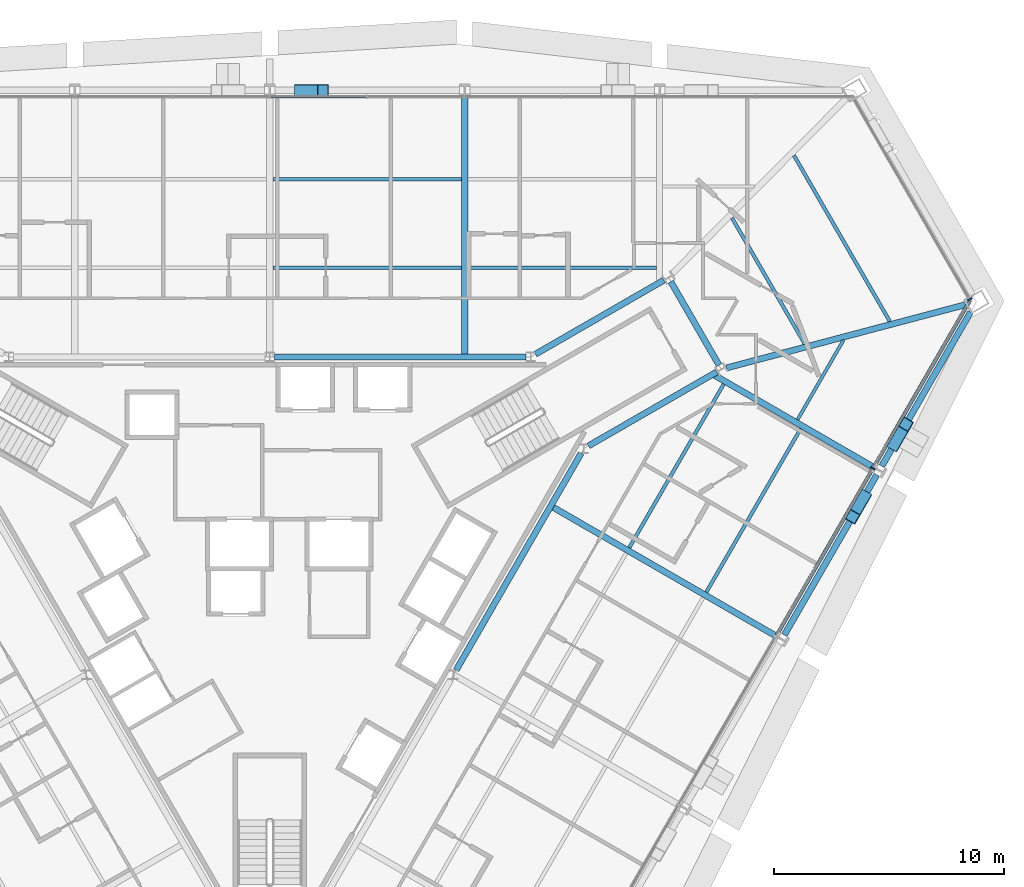
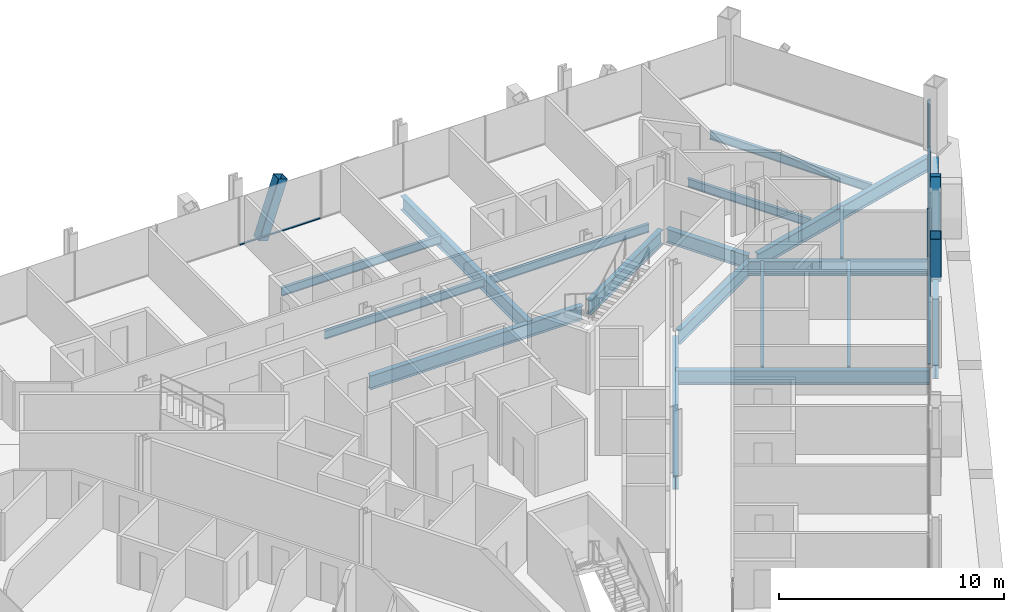
# One storey, part 7 of 17: 19 beams, 8 members, 3 elements without a shape of their own.
"""IFC4 building model written with IfcOpenShell, lengths in metres."""

from ifc_helpers import new_model, si_unit, direction, frame, origin, origin_2d, place, context, subcontext, project, spatial, rectangle, hollow_rectangle, i_section, extrude, material, material_profile, profile_set, type_object, element, aggregate, save


model = new_model("IFC4")

# Units and contexts
model_context = context("Model", 3, precision=1e-05, world=origin(), true_north=direction((0.0, 1.0)))
body_context = subcontext(model_context, "Body", "Model", "MODEL_VIEW")
ifc_project = project(units=[si_unit("LENGTHUNIT", "METRE"), si_unit("AREAUNIT", "SQUARE_METRE"), si_unit("VOLUMEUNIT", "CUBIC_METRE"), si_unit("PLANEANGLEUNIT", "RADIAN"), si_unit("MASSUNIT", "GRAM", prefix="KILO")], contexts=[model_context])

# Site, building, storey
site_placement = place(None, origin())
site = spatial("IfcSite", under=ifc_project, at=site_placement, CompositionType="ELEMENT")
building_placement = place(site_placement, origin())
building = spatial("IfcBuilding", under=site, at=building_placement, Name="Verrane Prism Tower", CompositionType="ELEMENT")
storey_placement = place(building_placement, frame((0.0, 0.0, 40.39990234375)))
storey = spatial("IfcBuildingStorey", under=building, at=storey_placement, Name="L07", CompositionType="ELEMENT", Elevation=40.39990234375)

# Beams
ifc_material_1 = material(Name="Steel A992", Category="steel")
ifc_material_profile_1 = material_profile(ifc_material_1, i_section(OverallWidth=0.2666015625, OverallDepth=0.7568359375, WebThickness=0.013916015625, FlangeThickness=0.019287109375, FilletRadius=0.0166015625, at=origin_2d()), Name="W30x108")
ifc_profile_set_1 = profile_set([ifc_material_profile_1], Name="Steel A992")
beam_type_1 = type_object("IfcBeamType", Name="Core ring girder W30x108", PredefinedType="BEAM", material=ifc_profile_set_1)
beam_1_placement = place(storey_placement, frame((13.833251953125, 5.337158203125, -0.62841796875), z_axis=(0.86646365882, 0.499240150574, 0.0), x_axis=(-0.499240150574, 0.86646365882, 0.0)))
element("IfcBeam", 1, at=beam_1_placement, inside=storey, type_object=beam_type_1, Name="Core ring girder L07", PredefinedType="BEAM", context=body_context, shape_type="SweptSolid", body=[
    extrude(i_section(OverallWidth=0.2666015625, OverallDepth=0.7568359375, WebThickness=0.013916015625, FlangeThickness=0.019287109375, FilletRadius=0.0166015625, at=origin_2d()), origin(), (0.0, 0.0, 1.0), 6.42822265625),
])
beam_2_placement = place(storey_placement, frame((19.4951171875, 8.84130859375, -0.62841796875), z_axis=(-0.500349643494, 0.865823442888, 0.0), x_axis=(-0.865823442888, -0.500349643494, 0.0)))
element("IfcBeam", 2, at=beam_2_placement, inside=storey, type_object=beam_type_1, Name="Core ring girder L07", PredefinedType="BEAM", context=body_context, shape_type="SweptSolid", body=[
    extrude(i_section(OverallWidth=0.2666015625, OverallDepth=0.7568359375, WebThickness=0.013916015625, FlangeThickness=0.019287109375, FilletRadius=0.0166015625, at=origin_2d()), origin(), (0.0, 0.0, 1.0), 4.177734375),
])
beam_3_placement = place(storey_placement, frame((17.10302734375, 12.526611328125, -0.62841796875), z_axis=(-0.866447229751, -0.499268663203, 0.0), x_axis=(0.499268663203, -0.866447229751, 0.0)))
element("IfcBeam", 3, at=beam_3_placement, inside=storey, type_object=beam_type_1, Name="Core ring girder L07", PredefinedType="BEAM", context=body_context, shape_type="SweptSolid", body=[
    extrude(i_section(OverallWidth=0.2666015625, OverallDepth=0.7568359375, WebThickness=0.013916015625, FlangeThickness=0.019287109375, FilletRadius=0.0166015625, at=origin_2d()), origin(), (0.0, 0.0, 1.0), 6.428466796875),
])
beam_4_placement = place(storey_placement, frame((11.126708984375, 9.199951171875, -0.62841796875), z_axis=(-1.0, 0.0, 0.0), x_axis=(0.0, -1.0, 0.0)))
element("IfcBeam", 4, at=beam_4_placement, inside=storey, type_object=beam_type_1, Name="Core ring girder L07", PredefinedType="BEAM", context=body_context, shape_type="SweptSolid", body=[
    extrude(i_section(OverallWidth=0.2666015625, OverallDepth=0.7568359375, WebThickness=0.013916015625, FlangeThickness=0.019287109375, FilletRadius=0.0166015625, at=origin_2d()), origin(), (0.0, 0.0, 1.0), 10.923583984375),
])
beam_5_placement = place(storey_placement, frame((8.090087890625, -4.3916015625, -0.62841796875), z_axis=(0.499371892062, 0.866387738498, 0.0), x_axis=(-0.866387738498, 0.499371892062, 0.0)))
element("IfcBeam", 5, at=beam_5_placement, inside=storey, type_object=beam_type_1, Name="Core ring girder L07", PredefinedType="BEAM", context=body_context, shape_type="SweptSolid", body=[
    extrude(i_section(OverallWidth=0.2666015625, OverallDepth=0.7568359375, WebThickness=0.013916015625, FlangeThickness=0.019287109375, FilletRadius=0.0166015625, at=origin_2d()), origin(), (0.0, 0.0, 1.0), 10.853515625),
])
ifc_material_2 = material(Name="Steel A992", Category="steel")
ifc_material_profile_2 = material_profile(ifc_material_2, i_section(OverallWidth=0.2666015625, OverallDepth=0.76708984375, WebThickness=0.014892578125, FlangeThickness=0.023681640625, FilletRadius=0.0166015625, at=origin_2d()), Name="W30x124")
ifc_profile_set_2 = profile_set([ifc_material_profile_2], Name="Steel A992")
beam_type_2 = type_object("IfcBeamType", Name="Corner girder W30x124", PredefinedType="BEAM", material=ifc_profile_set_2)
beam_6_placement = place(storey_placement, frame((30.21923828125, 11.470703125, -0.603515625), z_axis=(-0.966710515477, -0.255872584047, 0.0), x_axis=(0.255872584047, -0.966710515477, 0.0)))
element("IfcBeam", 6, at=beam_6_placement, inside=storey, type_object=beam_type_2, Name="Corner girder L07", PredefinedType="BEAM", context=body_context, shape_type="SweptSolid", body=[
    extrude(i_section(OverallWidth=0.2666015625, OverallDepth=0.76708984375, WebThickness=0.014892578125, FlangeThickness=0.023681640625, FilletRadius=0.0166015625, at=origin_2d()), origin(), (0.0, 0.0, 1.0), 10.74951171875),
])

# Members
ifc_material_3 = material(Name="Steel A1085 Grade A", Category="steel")
ifc_material_profile_3 = material_profile(ifc_material_3, hollow_rectangle(XDim=0.508056640625, YDim=0.508056640625, WallThickness=0.025390625, InnerFilletRadius=0.0126953125, OuterFilletRadius=0.0380859375, at=origin_2d()), Name="HSS20x20x1")
ifc_profile_set_3 = profile_set([ifc_material_profile_3], Name="Steel A1085 Grade A")
member_type_1 = type_object("IfcMemberType", Name="Facade brace HSS20x20x1", PredefinedType="BRACE", material=ifc_profile_set_3)
for number, where, z_axis, x_axis, name in (
    (7, (1.307861328125, 20.77001953125, -0.242431640625), (0.318304411542, 0.0, 0.947988555623), (0.0, 1.0, 0.0), "Facade brace N2 L07"),
    (8, (25.7958984375, 3.13671875, -0.242431640625), (-0.159110480568, -0.275750465356, 0.947969163965), (0.866153397047, -0.499778243608, 0.0), "Facade brace SE4 L07"),
):
    element("IfcMember", number, at=place(storey_placement, frame(where, z_axis=z_axis, x_axis=x_axis)), inside=storey, type_object=member_type_1, Name=name, PredefinedType="BRACE", context=body_context, shape_type="SweptSolid", body=[
        extrude(hollow_rectangle(XDim=0.508056640625, YDim=0.508056640625, WallThickness=0.025390625, InnerFilletRadius=0.0126953125, OuterFilletRadius=0.0380859375, at=origin_2d()), origin(), (0.0, 0.0, 1.0), 3.173095703125),
    ])
member_1_placement = place(storey_placement, frame((27.102294921875, 5.401611328125, -0.242431640625), z_axis=(0.158827331788, 0.27540844015, 0.94811606345), x_axis=(-0.86627019449, 0.499575770167, 0.0)))
element("IfcMember", 9, at=member_1_placement, inside=storey, type_object=member_type_1, Name="Facade brace SE5 L07", PredefinedType="BRACE", context=body_context, shape_type="SweptSolid", body=[
    extrude(hollow_rectangle(XDim=0.508056640625, YDim=0.508056640625, WallThickness=0.025390625, InnerFilletRadius=0.0126953125, OuterFilletRadius=0.0380859375, at=origin_2d()), origin(), (0.0, 0.0, 1.0), 3.172607421875),
])

# Beams
ifc_material_4 = material(Name="Steel A992", Category="steel")
ifc_material_profile_4 = material_profile(ifc_material_4, i_section(OverallWidth=0.140380859375, OverallDepth=0.40380859375, WebThickness=0.007080078125, FlangeThickness=0.01123046875, FilletRadius=0.01025390625, at=origin_2d()), Name="W16x31")
ifc_profile_set_4 = profile_set([ifc_material_profile_4], Name="Steel A992")
beam_type_3 = type_object("IfcBeamType", Name="Floor beam W16x31", PredefinedType="BEAM", material=ifc_profile_set_4)
beam_7_placement = place(storey_placement, frame((22.90185546875, 6.470703125, -0.36181640625), z_axis=(0.500005166599, 0.866022420826, 0.0), x_axis=(-0.866022420826, 0.500005166599, 0.0)))
element("IfcBeam", 10, at=beam_7_placement, inside=storey, type_object=beam_type_3, Name="Floor beam L07", PredefinedType="BEAM", context=body_context, shape_type="SweptSolid", body=[
    extrude(i_section(OverallWidth=0.140380859375, OverallDepth=0.40380859375, WebThickness=0.007080078125, FlangeThickness=0.01123046875, FilletRadius=0.01025390625, at=origin_2d()), origin(), (0.0, 0.0, 1.0), 3.98681640625),
])
ifc_material_5 = material(Name="Steel A992", Category="steel")
ifc_material_profile_5 = material_profile(ifc_material_5, i_section(OverallWidth=0.15234375, OverallDepth=0.449462890625, WebThickness=0.007568359375, FlangeThickness=0.0107421875, FilletRadius=0.01025390625, at=origin_2d()), Name="W18x35")
ifc_profile_set_5 = profile_set([ifc_material_profile_5], Name="Steel A992")
beam_type_4 = type_object("IfcBeamType", Name="Floor beam W18x35", PredefinedType="BEAM", material=ifc_profile_set_5)
beam_8_placement = place(storey_placement, frame((8.593505859375, 13.056640625, -0.384765625), z_axis=(1.0, 0.0, 0.0), x_axis=(0.0, 1.0, 0.0)))
element("IfcBeam", 11, at=beam_8_placement, inside=storey, type_object=beam_type_4, Name="Floor beam L07", PredefinedType="BEAM", context=body_context, shape_type="SweptSolid", body=[
    extrude(i_section(OverallWidth=0.15234375, OverallDepth=0.449462890625, WebThickness=0.007568359375, FlangeThickness=0.0107421875, FilletRadius=0.01025390625, at=origin_2d()), origin(), (0.0, 0.0, 1.0), 8.193115234375),
])
for number, where, z_axis, x_axis, name in (
    (12, (0.133544921875, 13.056640625, -0.384765625), (1.0, 0.0, 0.0), (0.0, 1.0, 0.0), "Floor beam L07"),
    (13, (0.133544921875, 16.913330078125, -0.384765625), (1.0, 0.0, 0.0), (0.0, 1.0, 0.0), "Floor beam L07"),
):
    element("IfcBeam", number, at=place(storey_placement, frame(where, z_axis=z_axis, x_axis=x_axis)), inside=storey, type_object=beam_type_4, Name=name, PredefinedType="BEAM", context=body_context, shape_type="SweptSolid", body=[
        extrude(i_section(OverallWidth=0.15234375, OverallDepth=0.449462890625, WebThickness=0.007568359375, FlangeThickness=0.0107421875, FilletRadius=0.01025390625, at=origin_2d()), origin(), (0.0, 0.0, 1.0), 8.19287109375),
    ])
beam_9_placement = place(storey_placement, frame((18.943359375, -1.014404296875, -0.384765625), z_axis=(0.500013012896, 0.866017890655, 0.0), x_axis=(-0.866017890655, 0.500013012896, 0.0)))
element("IfcBeam", 14, at=beam_9_placement, inside=storey, type_object=beam_type_4, Name="Floor beam L07", PredefinedType="BEAM", context=body_context, shape_type="SweptSolid", body=[
    extrude(i_section(OverallWidth=0.15234375, OverallDepth=0.449462890625, WebThickness=0.007568359375, FlangeThickness=0.0107421875, FilletRadius=0.01025390625, at=origin_2d()), origin(), (0.0, 0.0, 1.0), 8.194580078125),
])
beam_10_placement = place(storey_placement, frame((15.60009765625, 0.91552734375, -0.384765625), z_axis=(0.49998813555, 0.86603225362, 0.0), x_axis=(-0.86603225362, 0.49998813555, 0.0)))
element("IfcBeam", 15, at=beam_10_placement, inside=storey, type_object=beam_type_4, Name="Floor beam L07", PredefinedType="BEAM", context=body_context, shape_type="SweptSolid", body=[
    extrude(i_section(OverallWidth=0.15234375, OverallDepth=0.449462890625, WebThickness=0.007568359375, FlangeThickness=0.0107421875, FilletRadius=0.01025390625, at=origin_2d()), origin(), (0.0, 0.0, 1.0), 8.193115234375),
])
beam_11_placement = place(storey_placement, frame((26.910400390625, 10.73291015625, -0.384765625), z_axis=(-0.500000939553, 0.866024861332, 0.0), x_axis=(-0.866024861332, -0.500000939553, 0.0)))
element("IfcBeam", 16, at=beam_11_placement, inside=storey, type_object=beam_type_4, Name="Floor beam L07", PredefinedType="BEAM", context=body_context, shape_type="SweptSolid", body=[
    extrude(i_section(OverallWidth=0.15234375, OverallDepth=0.449462890625, WebThickness=0.007568359375, FlangeThickness=0.0107421875, FilletRadius=0.01025390625, at=origin_2d()), origin(), (0.0, 0.0, 1.0), 8.322265625),
])
beam_12_placement = place(storey_placement, frame((23.219482421875, 9.756103515625, -0.384765625), z_axis=(-0.499989926711, 0.866031219522, 0.0), x_axis=(-0.866031219522, -0.499989926711, 0.0)))
element("IfcBeam", 17, at=beam_12_placement, inside=storey, type_object=beam_type_4, Name="Floor beam L07", PredefinedType="BEAM", context=body_context, shape_type="SweptSolid", body=[
    extrude(i_section(OverallWidth=0.15234375, OverallDepth=0.449462890625, WebThickness=0.007568359375, FlangeThickness=0.0107421875, FilletRadius=0.01025390625, at=origin_2d()), origin(), (0.0, 0.0, 1.0), 6.321044921875),
])

# Curtain wall, member
ifc_material_6 = material(Name="Aluminium framed insulated glazing", Category="aluminium")
curtain_wall_type_1 = type_object("IfcCurtainWallType", Name="Curtain wall CW-A 8400 module", PredefinedType="NOTDEFINED", material=ifc_material_6)
curtain_wall_1_placement = place(storey_placement, origin())
curtain_wall_1 = element("IfcCurtainWall", 18, at=curtain_wall_1_placement, inside=storey, type_object=curtain_wall_type_1, Name="Glazed curtain wall north-east corner L07", PredefinedType="NOTDEFINED")
ifc_material_7 = material(Name="Aluminium alloy 6063-T6", Category="aluminium")
ifc_material_profile_6 = material_profile(ifc_material_7, rectangle(XDim=0.199951171875, YDim=0.070068359375, at=origin_2d()), Name="Mullion 70x200 aluminium")
ifc_profile_set_6 = profile_set([ifc_material_profile_6], Name="Aluminium alloy 6063-T6")
member_type_2 = type_object("IfcMemberType", Name="Mullion 70x200 aluminium", PredefinedType="MULLION", material=ifc_profile_set_6)
member_2_placement = place(storey_placement, frame((30.37890625, 11.696533203125, 0.0), z_axis=(0.0, 0.0, 1.0), x_axis=(-0.866027227665, -0.499996840933, 0.0)))
member_2 = element("IfcMember", 19, at=member_2_placement, type_object=member_type_2, Name="CW06.1 mullion 1", PredefinedType="MULLION", context=body_context, shape_type="SweptSolid", body=[
    extrude(rectangle(XDim=0.199951171875, YDim=0.070068359375, at=origin_2d()), origin(), (0.0, 0.0, 1.0), 2.613037109375),
])
aggregate(curtain_wall_1, [member_2])

curtain_wall_2_placement = place(storey_placement, origin())
curtain_wall_2 = element("IfcCurtainWall", 20, at=curtain_wall_2_placement, inside=storey, type_object=curtain_wall_type_1, Name="Glazed curtain wall south-east face L07", PredefinedType="NOTDEFINED")
member_3_placement = place(storey_placement, frame((26.1796875, 4.3623046875, 0.0), z_axis=(0.0, 0.0, 1.0), x_axis=(-0.866025123598, 0.500000485297, 0.0)))
member_3 = element("IfcMember", 21, at=member_3_placement, type_object=member_type_2, Name="CW06.6 mullion 6", PredefinedType="MULLION", context=body_context, shape_type="SweptSolid", body=[
    extrude(rectangle(XDim=0.199951171875, YDim=0.070068359375, at=origin_2d()), origin(), (0.0, 0.0, 1.0), 2.613037109375),
])

# Beams
ifc_material_8 = material(Name="Steel A992", Category="steel")
ifc_material_profile_7 = material_profile(ifc_material_8, i_section(OverallWidth=0.2666015625, OverallDepth=0.76708984375, WebThickness=0.014892578125, FlangeThickness=0.023681640625, FilletRadius=0.0166015625, at=origin_2d()), Name="W30x124")
ifc_profile_set_7 = profile_set([ifc_material_profile_7], Name="Steel A992")
beam_type_5 = type_object("IfcBeamType", Name="Radial girder W30x124", PredefinedType="BEAM", material=ifc_profile_set_7)
beam_13_placement = place(storey_placement, frame((8.4599609375, 20.504638671875, -0.603515625), z_axis=(0.0, -1.0, 0.0), x_axis=(1.0, 0.0, 0.0)))
element("IfcBeam", 22, at=beam_13_placement, inside=storey, type_object=beam_type_5, Name="Radial girder L07", PredefinedType="BEAM", context=body_context, shape_type="SweptSolid", body=[
    extrude(i_section(OverallWidth=0.2666015625, OverallDepth=0.76708984375, WebThickness=0.014892578125, FlangeThickness=0.023681640625, FilletRadius=0.0166015625, at=origin_2d()), origin(), (0.0, 0.0, 1.0), 11.3046875),
])
beam_14_placement = place(storey_placement, frame((21.989990234375, -2.92724609375, -0.603515625), z_axis=(-0.866021685936, 0.500006439447, 0.0), x_axis=(-0.500006439447, -0.866021685936, 0.0)))
element("IfcBeam", 23, at=beam_14_placement, inside=storey, type_object=beam_type_5, Name="Radial girder L07", PredefinedType="BEAM", context=body_context, shape_type="SweptSolid", body=[
    extrude(i_section(OverallWidth=0.2666015625, OverallDepth=0.76708984375, WebThickness=0.014892578125, FlangeThickness=0.023681640625, FilletRadius=0.0166015625, at=origin_2d()), origin(), (0.0, 0.0, 1.0), 11.311279296875),
])
beam_15_placement = place(storey_placement, frame((26.22021484375, 4.402587890625, -0.603515625), z_axis=(-0.866018025241, 0.500012779794, 0.0), x_axis=(-0.500012779794, -0.866018025241, 0.0)))
element("IfcBeam", 24, at=beam_15_placement, inside=storey, type_object=beam_type_5, Name="Radial girder L07", PredefinedType="BEAM", context=body_context, shape_type="SweptSolid", body=[
    extrude(i_section(OverallWidth=0.2666015625, OverallDepth=0.76708984375, WebThickness=0.014892578125, FlangeThickness=0.023681640625, FilletRadius=0.0166015625, at=origin_2d()), origin(), (0.0, 0.0, 1.0), 8.079833984375),
])
ifc_material_9 = material(Name="Steel A992", Category="steel")
ifc_material_profile_8 = material_profile(ifc_material_9, i_section(OverallWidth=0.2666015625, OverallDepth=0.7568359375, WebThickness=0.013916015625, FlangeThickness=0.019287109375, FilletRadius=0.0166015625, at=origin_2d()), Name="W30x108")
ifc_profile_set_8 = profile_set([ifc_material_profile_8], Name="Steel A992")
beam_type_6 = type_object("IfcBeamType", Name="Spandrel beam W30x108", PredefinedType="SPANDREL", material=ifc_profile_set_8)
beam_16_placement = place(storey_placement, frame((22.33056640625, -2.86865234375, -0.538330078125), z_axis=(0.499815553799, 0.866131867663, 0.0), x_axis=(-0.866131867663, 0.499815553799, 0.0)))
element("IfcBeam", 25, at=beam_16_placement, inside=storey, type_object=beam_type_6, Name="Spandrel beam L07", PredefinedType="SPANDREL", context=body_context, shape_type="SweptSolid", body=[
    extrude(i_section(OverallWidth=0.2666015625, OverallDepth=0.7568359375, WebThickness=0.013916015625, FlangeThickness=0.019287109375, FilletRadius=0.0166015625, at=origin_2d()), origin(), (0.0, 0.0, 1.0), 8.02099609375),
])
beam_17_placement = place(storey_placement, frame((26.560302734375, 4.46142578125, -0.538330078125), z_axis=(0.499457388948, 0.866338453854, 0.0), x_axis=(-0.866338453854, 0.499457388948, 0.0)))
element("IfcBeam", 26, at=beam_17_placement, inside=storey, type_object=beam_type_6, Name="Spandrel beam L07", PredefinedType="SPANDREL", context=body_context, shape_type="SweptSolid", body=[
    extrude(i_section(OverallWidth=0.2666015625, OverallDepth=0.7568359375, WebThickness=0.013916015625, FlangeThickness=0.019287109375, FilletRadius=0.0166015625, at=origin_2d()), origin(), (0.0, 0.0, 1.0), 7.70849609375),
])

# Curtain wall, member
ifc_material_10 = material(Name="Aluminium framed insulated glazing", Category="aluminium")
curtain_wall_type_2 = type_object("IfcCurtainWallType", Name="Curtain wall CW-C 4200 module", PredefinedType="NOTDEFINED", material=ifc_material_10)
curtain_wall_3_placement = place(storey_placement, origin())
curtain_wall_3 = element("IfcCurtainWall", 27, at=curtain_wall_3_placement, inside=storey, type_object=curtain_wall_type_2, Name="Glazed curtain wall north face L07", PredefinedType="NOTDEFINED")
ifc_material_11 = material(Name="Aluminium alloy 6063-T6", Category="aluminium")
ifc_material_profile_9 = material_profile(ifc_material_11, rectangle(XDim=0.10009765625, YDim=0.050048828125, at=origin_2d()), Name="Transom 50x100 aluminium")
ifc_profile_set_9 = profile_set([ifc_material_profile_9], Name="Aluminium alloy 6063-T6")
member_type_3 = type_object("IfcMemberType", Name="Transom 50x100 aluminium", PredefinedType="USERDEFINED", material=ifc_profile_set_9)
member_4_placement = place(storey_placement, frame((4.19189453125, 20.490966796875, 0.025146484375), z_axis=(-1.0, 0.0, 0.0), x_axis=(0.0, -1.0, 0.0)))
member_4 = element("IfcMember", 28, at=member_4_placement, type_object=member_type_3, Name="CW06.2 transom 6", ObjectType="TRANSOM", PredefinedType="USERDEFINED", context=body_context, shape_type="SweptSolid", body=[
    extrude(rectangle(XDim=0.10009765625, YDim=0.050048828125, at=origin_2d()), origin(), (0.0, 0.0, 1.0), 4.1669921875),
])
aggregate(curtain_wall_3, [member_4])

# Member
ifc_material_12 = material(Name="Aluminium alloy 6063-T6", Category="aluminium")
ifc_material_profile_10 = material_profile(ifc_material_12, rectangle(XDim=0.14990234375, YDim=0.070068359375, at=origin_2d()), Name="Transom 70x150 aluminium")
ifc_profile_set_10 = profile_set([ifc_material_profile_10], Name="Aluminium alloy 6063-T6")
member_type_4 = type_object("IfcMemberType", Name="Transom 70x150 aluminium", PredefinedType="USERDEFINED", material=ifc_profile_set_10)
member_5_placement = place(storey_placement, frame((21.980224609375, -2.911376953125, 0.03515625), z_axis=(0.499991130599, 0.866030524475, 0.0), x_axis=(-0.866030524475, 0.499991130599, 0.0)))
member_5 = element("IfcMember", 29, at=member_5_placement, type_object=member_type_4, Name="CW06.6 transom 5", ObjectType="TRANSOM", PredefinedType="USERDEFINED", context=body_context, shape_type="SweptSolid", body=[
    extrude(rectangle(XDim=0.14990234375, YDim=0.070068359375, at=origin_2d()), origin(), (0.0, 0.0, 1.0), 8.364013671875),
])

member_6_placement = place(storey_placement, frame((26.197021484375, 4.392578125, 0.03515625), z_axis=(0.500000074778, 0.866025360611, 0.0), x_axis=(-0.866025360611, 0.500000074778, 0.0)))
member_6 = element("IfcMember", 30, at=member_6_placement, type_object=member_type_4, Name="CW06.6 transom 6", ObjectType="TRANSOM", PredefinedType="USERDEFINED", context=body_context, shape_type="SweptSolid", body=[
    extrude(rectangle(XDim=0.14990234375, YDim=0.070068359375, at=origin_2d()), origin(), (0.0, 0.0, 1.0), 8.39892578125),
])

aggregate(curtain_wall_2, [member_3, member_5, member_6])

save(model, "model.ifc")
